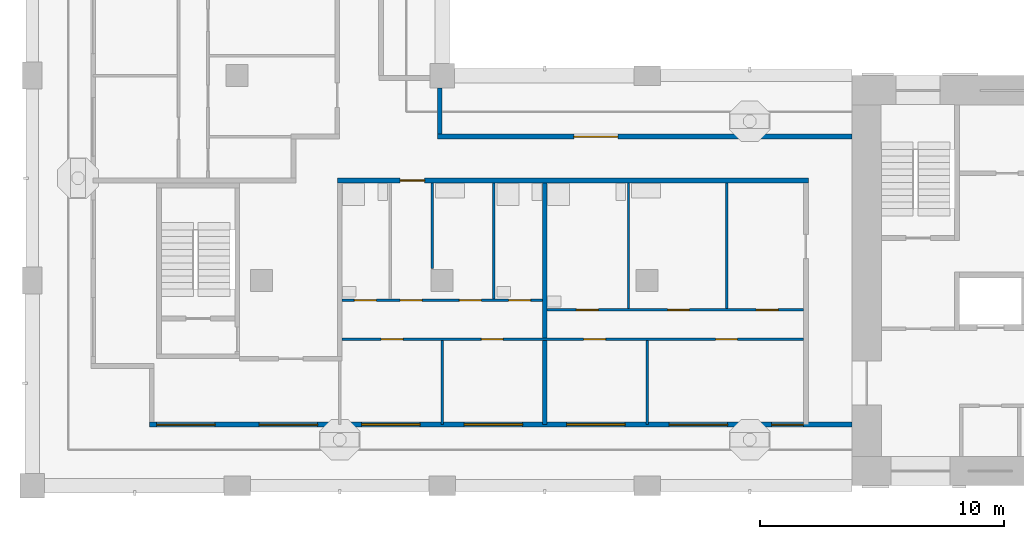
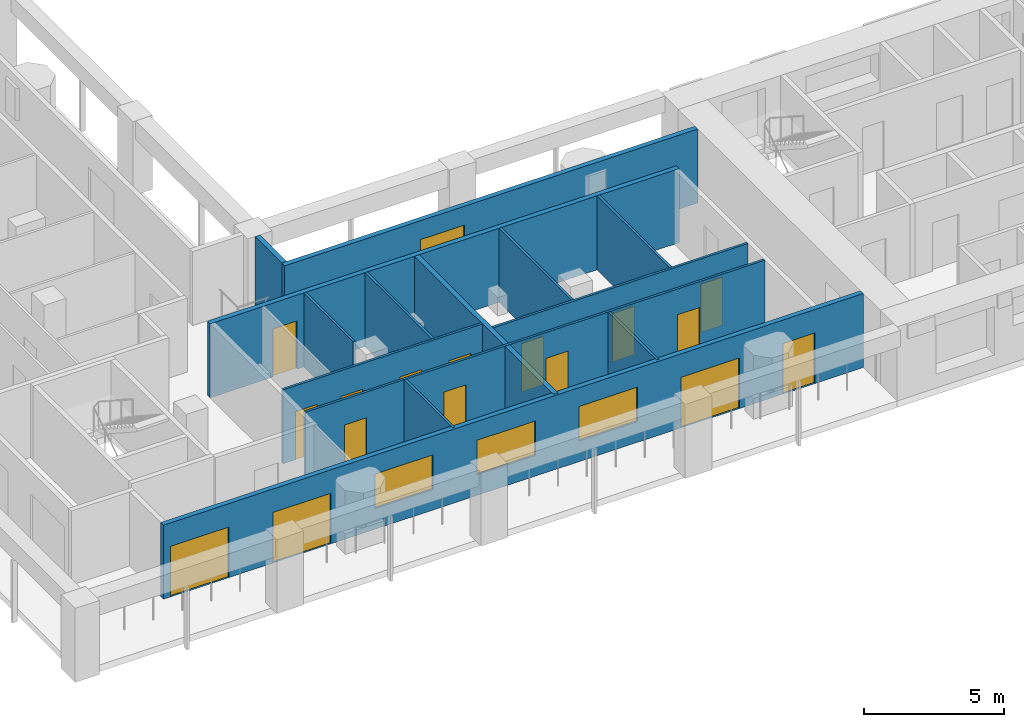
# One storey, part 2 of 12: 17 doors, 14 walls, 3 windows, 20 openings.
"""IFC4 building model written with IfcOpenShell, lengths in metres."""

import ifcopenshell
import ifcopenshell.guid

model = None  # the IFC model being written
_history = None  # IfcOwnerHistory: only IFC2X3 demands one
_inside = {}  # id of a spatial element -> (the spatial element, [elements in it])
_under = {}  # id of a project, library or spatial element -> (it, [spatial elements below it])
_declared = {}  # id of a project -> (the project, [libraries it declares])
_typed = {}  # id of a type object -> (the type object, [elements of that type])
_made_of = {}  # id of a material, layer set ... -> (it, [elements and type objects made of it])


def new_model(schema):
    """Start an empty IFC model of exactly this schema.

    Asked for "IFC4X3", IfcOpenShell would pick the latest addendum, in which some entities
    have other attributes; the version numbers below select the first issue.
    IFC2X3 requires an IfcOwnerHistory on every rooted entity: one is made here for all.
    """
    global model, _history
    if schema == "IFC4X3":
        model = ifcopenshell.file(schema_version=(4, 3, 0, 0))
    else:
        model = ifcopenshell.file(schema=schema)
    _inside.clear()
    _under.clear()
    _declared.clear()
    _typed.clear()
    _made_of.clear()
    _history = None
    if model.schema == "IFC2X3":
        org = make("IfcOrganization", Name="unknown")
        user = make(
            "IfcPersonAndOrganization",
            ThePerson=make("IfcPerson", FamilyName="unknown"),
            TheOrganization=org,
        )
        app = make(
            "IfcApplication",
            ApplicationDeveloper=org,
            Version="unknown",
            ApplicationFullName="unknown",
            ApplicationIdentifier="unknown",
        )
        _history = make(
            "IfcOwnerHistory",
            OwningUser=user,
            OwningApplication=app,
            ChangeAction="ADDED",
            CreationDate=0,
        )
    return model


def make(cls, **values):
    """One entity of the class cls with the attributes given. An attribute that is None is left unset."""
    return model.create_entity(
        cls, **{name: value for name, value in values.items() if value is not None}
    )


def rooted(cls, **values):
    """An entity with a GlobalId (a new one), such as an element, a storey or a relation."""
    return make(cls, GlobalId=ifcopenshell.guid.new(), OwnerHistory=_history, **values)


def si_unit(unit_type, name, prefix=None):
    """IfcSIUnit, for example si_unit("LENGTHUNIT", "METRE", prefix="MILLI")."""
    return make("IfcSIUnit", UnitType=unit_type, Prefix=prefix, Name=name)


def assignment(units):
    """IfcUnitAssignment: the units of a project."""
    return None if units is None else make("IfcUnitAssignment", Units=units)


def point(xyz):
    """IfcCartesianPoint."""
    return None if xyz is None else make("IfcCartesianPoint", Coordinates=xyz)


def direction(xyz):
    """IfcDirection."""
    return None if xyz is None else make("IfcDirection", DirectionRatios=xyz)


def frame(location, z_axis=None, x_axis=None):
    """IfcAxis2Placement3D, a coordinate frame: its origin and axes. An axis left out is left unset."""
    return make(
        "IfcAxis2Placement3D",
        Location=point(location),
        Axis=direction(z_axis),
        RefDirection=direction(x_axis),
    )


def frame_2d(location, x_axis=None):
    """IfcAxis2Placement2D, a coordinate frame in the plane: its origin and x axis."""
    return make(
        "IfcAxis2Placement2D", Location=point(location), RefDirection=direction(x_axis)
    )


def origin():
    """The frame at (0, 0, 0) with its axes left unset."""
    return frame((0.0, 0.0, 0.0))


def place(relative_to, where):
    """IfcLocalPlacement: puts the frame where relative to a parent placement (None: the world)."""
    return make(
        "IfcLocalPlacement", PlacementRelTo=relative_to, RelativePlacement=where
    )


def context(
    kind, dimensions, precision=None, world=None, true_north=None, identifier=None
):
    """IfcGeometricRepresentationContext, for example the 3D "Model" context."""
    return make(
        "IfcGeometricRepresentationContext",
        ContextIdentifier=identifier,
        ContextType=kind,
        CoordinateSpaceDimension=dimensions,
        Precision=precision,
        WorldCoordinateSystem=world,
        TrueNorth=true_north,
    )


def subcontext(parent, identifier, kind, view, scale=None):
    """IfcGeometricRepresentationSubContext, for example "Body" below "Model"."""
    return make(
        "IfcGeometricRepresentationSubContext",
        ContextIdentifier=identifier,
        ContextType=kind,
        ParentContext=parent,
        TargetScale=scale,
        TargetView=view,
    )


def project(units=None, contexts=None):
    """IfcProject with its units and contexts."""
    return rooted(
        "IfcProject",
        Name="project",
        RepresentationContexts=contexts,
        UnitsInContext=assignment(units),
    )


def spatial(cls, under=None, at=None, **own):
    """A site, building, storey or space (cls), placed at a placement, below another one or the project."""
    s = rooted(cls, ObjectPlacement=at, **own)
    if under is not None:
        _under.setdefault(under.id(), (under, []))[1].append(s)
    return s


def profile(cls, at=None, kind="AREA", **sizes):
    """A parametric profile (cls). Its sizes go by their IFC names, for example OverallWidth=200.0."""
    return make(cls, ProfileType=kind, Position=at, **sizes)


def rectangle(**sizes):
    """IfcRectangleProfileDef."""
    return profile("IfcRectangleProfileDef", **sizes)


def extrude(swept, where, along, depth):
    """IfcExtrudedAreaSolid: the profile swept, set in the frame where, extruded along a direction by depth."""
    return make(
        "IfcExtrudedAreaSolid",
        SweptArea=swept,
        Position=where,
        ExtrudedDirection=direction(along),
        Depth=depth,
    )


def shape(context_of_items, identifier, shape_type, items):
    """IfcShapeRepresentation: the items that make up one representation, for example the "Body"."""
    return make(
        "IfcShapeRepresentation",
        ContextOfItems=context_of_items,
        RepresentationIdentifier=identifier,
        RepresentationType=shape_type,
        Items=items,
    )


def material(Name=None, Category=None):
    """IfcMaterial."""
    return make("IfcMaterial", Name=Name, Category=Category)


def layer(
    of_material, thickness, ventilated=None, Name=None, Category=None, Priority=None
):
    """IfcMaterialLayer: one layer of a wall or slab, of a material (None: an air gap)."""
    return make(
        "IfcMaterialLayer",
        Material=of_material,
        LayerThickness=thickness,
        IsVentilated=ventilated,
        Name=Name,
        Category=Category,
        Priority=Priority,
    )


def layer_set(layers, Name=None):
    """IfcMaterialLayerSet."""
    return make("IfcMaterialLayerSet", MaterialLayers=layers, LayerSetName=Name)


def made_of(thing, what):
    """Note that an element or type object is made of a material, layer set ...; save() writes the relation."""
    if what is not None:
        _made_of.setdefault(what.id(), (what, []))[1].append(thing)
    return thing


def type_object(cls, material=None, **own):
    """A type object (cls), such as IfcWallType, which elements share."""
    return made_of(rooted(cls, **own), material)


def element(
    cls,
    number,
    at=None,
    inside=None,
    cuts=None,
    type_object=None,
    material=None,
    context=None,
    identifier="Body",
    shape_type=None,
    held_by="IfcProductDefinitionShape",
    body=None,
    shapes=None,
    **own,
):
    """One element of the class cls, such as IfcWall. Its Tag is "e" and its number.

    at: its placement. inside: the storey or other place that contains it. cuts: it is an
    opening in that element (IfcRelVoidsElement). A single representation is given by context,
    identifier, shape_type and body (its items); several are given by shapes. held_by: the class
    of the entity that holds the representations. save() writes the other relations.
    """
    e = rooted(cls, Tag="e%d" % number, ObjectPlacement=at, **own)
    if body is not None:
        shapes = [shape(context, identifier, shape_type, body)]
    if shapes is not None:
        e.Representation = make(held_by, Representations=shapes)
    if inside is not None:
        _inside.setdefault(inside.id(), (inside, []))[1].append(e)
    if cuts is not None:
        rooted(
            "IfcRelVoidsElement", RelatingBuildingElement=cuts, RelatedOpeningElement=e
        )
    if type_object is not None:
        _typed.setdefault(type_object.id(), (type_object, []))[1].append(e)
    return made_of(e, material)


def fill(opening, filler):
    """IfcRelFillsElement: the door or window that sits in an opening."""
    return rooted(
        "IfcRelFillsElement",
        RelatingOpeningElement=opening,
        RelatedBuildingElement=filler,
    )


def aggregate(whole, parts):
    """IfcRelAggregates: a whole, such as a stair, and the parts it consists of."""
    return rooted("IfcRelAggregates", RelatingObject=whole, RelatedObjects=parts)


def save(model, path):
    """Write the relations noted so far, then the file.

    IfcRelAggregates (storeys below a building ...), IfcRelContainedInSpatialStructure (elements
    in a storey), IfcRelDefinesByType, IfcRelAssociatesMaterial and IfcRelDeclares: one each for
    every whole, place, type object, material and project.
    """
    for whole, parts in _under.values():
        aggregate(whole, parts)
    for where, things in _inside.values():
        rooted(
            "IfcRelContainedInSpatialStructure",
            RelatedElements=things,
            RelatingStructure=where,
        )
    for kind, things in _typed.values():
        rooted("IfcRelDefinesByType", RelatedObjects=things, RelatingType=kind)
    for what, things in _made_of.values():
        rooted("IfcRelAssociatesMaterial", RelatedObjects=things, RelatingMaterial=what)
    for by, libraries in _declared.values():
        rooted("IfcRelDeclares", RelatingContext=by, RelatedDefinitions=libraries)
    model.write(path)


model = new_model("IFC4")

# Units and contexts
model_context = context("Model", 3, precision=1e-05, world=origin(), true_north=direction((0.0, 1.0)))
body_context = subcontext(model_context, "Body", "Model", "MODEL_VIEW")
ifc_project = project(units=[si_unit("LENGTHUNIT", "METRE"), si_unit("AREAUNIT", "SQUARE_METRE"), si_unit("VOLUMEUNIT", "CUBIC_METRE"), si_unit("PLANEANGLEUNIT", "RADIAN"), si_unit("MASSUNIT", "GRAM", prefix="KILO")], contexts=[model_context])

# Site, building, storey
site_placement = place(None, origin())
site = spatial("IfcSite", under=ifc_project, at=site_placement, CompositionType="ELEMENT")
building_placement = place(site_placement, origin())
building = spatial("IfcBuilding", under=site, at=building_placement, Name="Vermilion Gate Residences", CompositionType="ELEMENT")
storey_placement = place(building_placement, frame((0.0, 0.0, 242.199951171875)))
storey = spatial("IfcBuildingStorey", under=building, at=storey_placement, Name="L63", CompositionType="ELEMENT", Elevation=242.199951171875)

# Wall, openings, doors, windows
ifc_material_1 = material(Name="Insulated steel stud wall with terracotta rainscreen", Category="masonry")
ifc_layer_1 = layer(ifc_material_1, 0.199951171875)
ifc_layer_set_1 = layer_set([ifc_layer_1], Name="EXTERNAL WALL 200 TERRACOTTA RAINSCREEN")
wall_type_1 = type_object("IfcWallType", Name="EXTERNAL WALL 200 TERRACOTTA RAINSCREEN", PredefinedType="SOLIDWALL", material=ifc_layer_set_1)
wall_1_placement = place(storey_placement, frame((13.199951171875, 10.89990234375, 0.0), z_axis=(0.0, 0.0, 1.0), x_axis=(1.0, 0.0, 0.0)))
wall_1 = element("IfcWall", 1, at=wall_1_placement, inside=storey, type_object=wall_type_1, Name="External wall", PredefinedType="SOLIDWALL", context=body_context, shape_type="SweptSolid", body=[
    extrude(rectangle(XDim=28.800048828125, YDim=0.199951171875, at=frame_2d((14.39990234375, 0.0))), origin(), (0.0, 0.0, 1.0), 3.219970703125),
])
opening_1_placement = place(wall_1_placement, frame((0.300048828125, 0.0, 0.0)))
opening_1 = element("IfcOpeningElement", 2, at=opening_1_placement, cuts=wall_1, Name="Opening DE63008", PredefinedType="OPENING", context=body_context, shape_type="SweptSolid", body=[
    extrude(rectangle(XDim=2.39990234375, YDim=2.199951171875, at=frame_2d((1.199951171875, 1.10009765625))), frame((0.0, 0.10986328125, 0.0), z_axis=(0.0, -1.0, 0.0), x_axis=(1.0, 0.0, 0.0)), (0.0, 0.0, 1.0), 0.219970703125),
])
opening_2_placement = place(wall_1_placement, frame((4.5, 0.0, 0.0)))
opening_2 = element("IfcOpeningElement", 3, at=opening_2_placement, cuts=wall_1, Name="Opening DE63009", PredefinedType="OPENING", context=body_context, shape_type="SweptSolid", body=[
    extrude(rectangle(XDim=2.39990234375, YDim=2.199951171875, at=frame_2d((1.199951171875, 1.10009765625))), frame((0.0, 0.10986328125, 0.0), z_axis=(0.0, -1.0, 0.0), x_axis=(1.0, 0.0, 0.0)), (0.0, 0.0, 1.0), 0.219970703125),
])
opening_3_placement = place(wall_1_placement, frame((8.699951171875, 0.0, 0.89990234375)))
opening_3 = element("IfcOpeningElement", 4, at=opening_3_placement, cuts=wall_1, Name="Opening WE63010", PredefinedType="OPENING", context=body_context, shape_type="SweptSolid", body=[
    extrude(rectangle(XDim=2.39990234375, YDim=1.5, at=frame_2d((1.199951171875, 0.75))), frame((0.0, 0.10986328125, 0.0), z_axis=(0.0, -1.0, 0.0), x_axis=(1.0, 0.0, 0.0)), (0.0, 0.0, 1.0), 0.219970703125),
])
opening_4_placement = place(wall_1_placement, frame((12.89990234375, 0.0, 0.89990234375)))
opening_4 = element("IfcOpeningElement", 5, at=opening_4_placement, cuts=wall_1, Name="Opening WE63011", PredefinedType="OPENING", context=body_context, shape_type="SweptSolid", body=[
    extrude(rectangle(XDim=2.39990234375, YDim=1.5, at=frame_2d((1.199951171875, 0.75))), frame((0.0, 0.10986328125, 0.0), z_axis=(0.0, -1.0, 0.0), x_axis=(1.0, 0.0, 0.0)), (0.0, 0.0, 1.0), 0.219970703125),
])
opening_5_placement = place(wall_1_placement, frame((17.10009765625, 0.0, 0.89990234375)))
opening_5 = element("IfcOpeningElement", 6, at=opening_5_placement, cuts=wall_1, Name="Opening WE63012", PredefinedType="OPENING", context=body_context, shape_type="SweptSolid", body=[
    extrude(rectangle(XDim=2.39990234375, YDim=1.5, at=frame_2d((1.199951171875, 0.75))), frame((0.0, 0.10986328125, 0.0), z_axis=(0.0, -1.0, 0.0), x_axis=(1.0, 0.0, 0.0)), (0.0, 0.0, 1.0), 0.219970703125),
])
opening_6_placement = place(wall_1_placement, frame((21.300048828125, 0.0, 0.0)))
opening_6 = element("IfcOpeningElement", 7, at=opening_6_placement, cuts=wall_1, Name="Opening DE63013", PredefinedType="OPENING", context=body_context, shape_type="SweptSolid", body=[
    extrude(rectangle(XDim=2.39990234375, YDim=2.199951171875, at=frame_2d((1.199951171875, 1.10009765625))), frame((0.0, 0.10986328125, 0.0), z_axis=(0.0, -1.0, 0.0), x_axis=(1.0, 0.0, 0.0)), (0.0, 0.0, 1.0), 0.219970703125),
])
opening_7_placement = place(wall_1_placement, frame((25.5, 0.0, 0.0)))
opening_7 = element("IfcOpeningElement", 8, at=opening_7_placement, cuts=wall_1, Name="Opening DE63014", PredefinedType="OPENING", context=body_context, shape_type="SweptSolid", body=[
    extrude(rectangle(XDim=1.300048828125, YDim=2.199951171875, at=frame_2d((0.64990234375, 1.10009765625))), frame((0.0, 0.10986328125, 0.0), z_axis=(0.0, -1.0, 0.0), x_axis=(1.0, 0.0, 0.0)), (0.0, 0.0, 1.0), 0.219970703125),
])
ifc_material_2 = material(Name="Aluminium and clear glass", Category="aluminium")
door_type_1 = type_object("IfcDoorType", Name="SLIDING GLAZED DOOR 1300 X 2200", OperationType="DOUBLE_DOOR_SLIDING", PredefinedType="DOOR", material=ifc_material_2)
door_1_placement = place(opening_7_placement, origin())
door_1 = element("IfcDoor", 9, at=door_1_placement, inside=storey, type_object=door_type_1, Name="Loggia sliding door", OperationType="DOUBLE_DOOR_SLIDING", OverallHeight=2.199951171875, OverallWidth=1.300048828125, PredefinedType="DOOR", context=body_context, shape_type="SweptSolid", body=[
    extrude(rectangle(XDim=1.300048828125, YDim=2.199951171875, at=frame_2d((0.64990234375, 1.10009765625))), frame((0.0, 0.02490234375, 0.0), z_axis=(0.0, -1.0, 0.0), x_axis=(1.0, 0.0, 0.0)), (0.0, 0.0, 1.0), 0.050048828125),
])
fill(opening_7, door_1)
ifc_material_3 = material(Name="Aluminium and clear glass", Category="aluminium")
door_type_2 = type_object("IfcDoorType", Name="SLIDING GLAZED DOOR 2400 X 2200", OperationType="DOUBLE_DOOR_SLIDING", PredefinedType="DOOR", material=ifc_material_3)
door_2_placement = place(opening_1_placement, origin())
door_2 = element("IfcDoor", 10, at=door_2_placement, inside=storey, type_object=door_type_2, Name="Loggia sliding door", OperationType="DOUBLE_DOOR_SLIDING", OverallHeight=2.199951171875, OverallWidth=2.39990234375, PredefinedType="DOOR", context=body_context, shape_type="SweptSolid", body=[
    extrude(rectangle(XDim=2.39990234375, YDim=2.199951171875, at=frame_2d((1.199951171875, 1.10009765625))), frame((0.0, 0.02490234375, 0.0), z_axis=(0.0, -1.0, 0.0), x_axis=(1.0, 0.0, 0.0)), (0.0, 0.0, 1.0), 0.050048828125),
])
fill(opening_1, door_2)
door_3_placement = place(opening_2_placement, origin())
door_3 = element("IfcDoor", 11, at=door_3_placement, inside=storey, type_object=door_type_2, Name="Loggia sliding door", OperationType="DOUBLE_DOOR_SLIDING", OverallHeight=2.199951171875, OverallWidth=2.39990234375, PredefinedType="DOOR", context=body_context, shape_type="SweptSolid", body=[
    extrude(rectangle(XDim=2.39990234375, YDim=2.199951171875, at=frame_2d((1.199951171875, 1.10009765625))), frame((0.0, 0.02490234375, 0.0), z_axis=(0.0, -1.0, 0.0), x_axis=(1.0, 0.0, 0.0)), (0.0, 0.0, 1.0), 0.050048828125),
])
fill(opening_2, door_3)
door_4_placement = place(opening_6_placement, origin())
door_4 = element("IfcDoor", 12, at=door_4_placement, inside=storey, type_object=door_type_2, Name="Loggia sliding door", OperationType="DOUBLE_DOOR_SLIDING", OverallHeight=2.199951171875, OverallWidth=2.39990234375, PredefinedType="DOOR", context=body_context, shape_type="SweptSolid", body=[
    extrude(rectangle(XDim=2.39990234375, YDim=2.199951171875, at=frame_2d((1.199951171875, 1.10009765625))), frame((0.0, 0.02490234375, 0.0), z_axis=(0.0, -1.0, 0.0), x_axis=(1.0, 0.0, 0.0)), (0.0, 0.0, 1.0), 0.050048828125),
])
fill(opening_6, door_4)
ifc_material_4 = material(Name="Aluminium and clear glass", Category="aluminium")
window_type = type_object("IfcWindowType", Name="WINDOW 2400 X 1500", PartitioningType="SINGLE_PANEL", PredefinedType="WINDOW", material=ifc_material_4)
window_1_placement = place(opening_3_placement, origin())
window_1 = element("IfcWindow", 13, at=window_1_placement, inside=storey, type_object=window_type, Name="Window", OverallHeight=1.5, OverallWidth=2.39990234375, PartitioningType="SINGLE_PANEL", PredefinedType="WINDOW", context=body_context, shape_type="SweptSolid", body=[
    extrude(rectangle(XDim=2.39990234375, YDim=1.5, at=frame_2d((1.199951171875, 0.75))), frame((0.0, 0.030029296875, 0.0), z_axis=(0.0, -1.0, 0.0), x_axis=(1.0, 0.0, 0.0)), (0.0, 0.0, 1.0), 0.06005859375),
])
fill(opening_3, window_1)
window_2_placement = place(opening_4_placement, origin())
window_2 = element("IfcWindow", 14, at=window_2_placement, inside=storey, type_object=window_type, Name="Window", OverallHeight=1.5, OverallWidth=2.39990234375, PartitioningType="SINGLE_PANEL", PredefinedType="WINDOW", context=body_context, shape_type="SweptSolid", body=[
    extrude(rectangle(XDim=2.39990234375, YDim=1.5, at=frame_2d((1.199951171875, 0.75))), frame((0.0, 0.030029296875, 0.0), z_axis=(0.0, -1.0, 0.0), x_axis=(1.0, 0.0, 0.0)), (0.0, 0.0, 1.0), 0.06005859375),
])
fill(opening_4, window_2)
window_3_placement = place(opening_5_placement, origin())
window_3 = element("IfcWindow", 15, at=window_3_placement, inside=storey, type_object=window_type, Name="Window", OverallHeight=1.5, OverallWidth=2.39990234375, PartitioningType="SINGLE_PANEL", PredefinedType="WINDOW", context=body_context, shape_type="SweptSolid", body=[
    extrude(rectangle(XDim=2.39990234375, YDim=1.5, at=frame_2d((1.199951171875, 0.75))), frame((0.0, 0.030029296875, 0.0), z_axis=(0.0, -1.0, 0.0), x_axis=(1.0, 0.0, 0.0)), (0.0, 0.0, 1.0), 0.06005859375),
])
fill(opening_5, window_3)

# Wall, opening, door
wall_2_placement = place(storey_placement, frame((42.0, 22.699951171875, 0.0), z_axis=(0.0, 0.0, 1.0), x_axis=(-1.0, 0.0, 0.0)))
wall_2 = element("IfcWall", 16, at=wall_2_placement, inside=storey, type_object=wall_type_1, Name="External wall", PredefinedType="SOLIDWALL", context=body_context, shape_type="SweptSolid", body=[
    extrude(rectangle(XDim=17.0, YDim=0.199951171875, at=frame_2d((8.5, 0.0))), origin(), (0.0, 0.0, 1.0), 3.219970703125),
])
opening_8_placement = place(wall_2_placement, frame((9.60009765625, 0.0, 0.0)))
opening_8 = element("IfcOpeningElement", 17, at=opening_8_placement, cuts=wall_2, Name="Opening DE63015", PredefinedType="OPENING", context=body_context, shape_type="SweptSolid", body=[
    extrude(rectangle(XDim=1.800048828125, YDim=2.39990234375, at=frame_2d((0.89990234375, 1.199951171875))), frame((0.0, 0.10986328125, 0.0), z_axis=(0.0, -1.0, 0.0), x_axis=(1.0, 0.0, 0.0)), (0.0, 0.0, 1.0), 0.219970703125),
])
ifc_material_5 = material(Name="Aluminium and clear glass", Category="aluminium")
door_type_3 = type_object("IfcDoorType", Name="GLAZED EXTERNAL DOOR 1800 X 2400", OperationType="DOUBLE_DOOR_SINGLE_SWING", PredefinedType="DOOR", material=ifc_material_5)
door_5_placement = place(opening_8_placement, frame((1.800048828125, 0.0, 0.0), z_axis=(0.0, 0.0, 1.0), x_axis=(-1.0, 0.0, 0.0)))
door_5 = element("IfcDoor", 18, at=door_5_placement, inside=storey, type_object=door_type_3, Name="Gallery door", OperationType="DOUBLE_DOOR_SINGLE_SWING", OverallHeight=2.39990234375, OverallWidth=1.800048828125, PredefinedType="DOOR", context=body_context, shape_type="SweptSolid", body=[
    extrude(rectangle(XDim=1.800048828125, YDim=2.39990234375, at=frame_2d((0.89990234375, 1.199951171875))), frame((0.0, 0.02490234375, 0.0), z_axis=(0.0, -1.0, 0.0), x_axis=(1.0, 0.0, 0.0)), (0.0, 0.0, 1.0), 0.050048828125),
])
fill(opening_8, door_5)

# Wall
wall_3_placement = place(storey_placement, frame((25.10009765625, 22.800048828125, 0.0), z_axis=(0.0, 0.0, 1.0), x_axis=(0.0, 1.0, 0.0)))
element("IfcWall", 19, at=wall_3_placement, inside=storey, type_object=wall_type_1, Name="External wall", PredefinedType="SOLIDWALL", context=body_context, shape_type="SweptSolid", body=[
    extrude(rectangle(XDim=1.89990234375, YDim=0.199951171875, at=frame_2d((0.949951171875, 0.0))), origin(), (0.0, 0.0, 1.0), 3.219970703125),
])

# Wall, openings, doors
ifc_material_6 = material(Name="Plasterboard on steel studs", Category="steel")
ifc_layer_2 = layer(ifc_material_6, 0.10009765625)
ifc_layer_set_2 = layer_set([ifc_layer_2], Name="PARTITION 100")
wall_type_2 = type_object("IfcWallType", Name="PARTITION 100", PredefinedType="PARTITIONING", material=ifc_layer_set_2)
wall_4_placement = place(storey_placement, frame((21.10009765625, 14.39990234375, 0.0), z_axis=(0.0, 0.0, 1.0), x_axis=(1.0, 0.0, 0.0)))
wall_4 = element("IfcWall", 20, at=wall_4_placement, inside=storey, type_object=wall_type_2, Name="Partition", PredefinedType="PARTITIONING", context=body_context, shape_type="SweptSolid", body=[
    extrude(rectangle(XDim=18.89990234375, YDim=0.10009765625, at=frame_2d((9.449951171875, 0.0))), origin(), (0.0, 0.0, 1.0), 3.219970703125),
])
opening_9_placement = place(wall_4_placement, frame((1.60009765625, 0.0, 0.0)))
opening_9 = element("IfcOpeningElement", 21, at=opening_9_placement, cuts=wall_4, Name="Opening DA61002", PredefinedType="OPENING", context=body_context, shape_type="SweptSolid", body=[
    extrude(rectangle(XDim=0.89990234375, YDim=2.10009765625, at=frame_2d((0.449951171875, 1.050048828125))), frame((0.0, 0.06005859375, 0.0), z_axis=(0.0, -1.0, 0.0), x_axis=(1.0, 0.0, 0.0)), (0.0, 0.0, 1.0), 0.1201171875),
])
opening_10_placement = place(wall_4_placement, frame((5.699951171875, 0.0, 0.0)))
opening_10 = element("IfcOpeningElement", 22, at=opening_10_placement, cuts=wall_4, Name="Opening DA61003", PredefinedType="OPENING", context=body_context, shape_type="SweptSolid", body=[
    extrude(rectangle(XDim=0.89990234375, YDim=2.10009765625, at=frame_2d((0.449951171875, 1.050048828125))), frame((0.0, 0.06005859375, 0.0), z_axis=(0.0, -1.0, 0.0), x_axis=(1.0, 0.0, 0.0)), (0.0, 0.0, 1.0), 0.1201171875),
])
opening_11_placement = place(wall_4_placement, frame((9.89990234375, 0.0, 0.0)))
opening_11 = element("IfcOpeningElement", 23, at=opening_11_placement, cuts=wall_4, Name="Opening DA61004", PredefinedType="OPENING", context=body_context, shape_type="SweptSolid", body=[
    extrude(rectangle(XDim=0.89990234375, YDim=2.10009765625, at=frame_2d((0.449951171875, 1.050048828125))), frame((0.0, 0.06005859375, 0.0), z_axis=(0.0, -1.0, 0.0), x_axis=(1.0, 0.0, 0.0)), (0.0, 0.0, 1.0), 0.1201171875),
])
opening_12_placement = place(wall_4_placement, frame((15.300048828125, 0.0, 0.0)))
opening_12 = element("IfcOpeningElement", 24, at=opening_12_placement, cuts=wall_4, Name="Opening DA61005", PredefinedType="OPENING", context=body_context, shape_type="SweptSolid", body=[
    extrude(rectangle(XDim=0.89990234375, YDim=2.10009765625, at=frame_2d((0.449951171875, 1.050048828125))), frame((0.0, 0.06005859375, 0.0), z_axis=(0.0, -1.0, 0.0), x_axis=(1.0, 0.0, 0.0)), (0.0, 0.0, 1.0), 0.1201171875),
])
ifc_material_7 = material(Name="Timber", Category="wood")
door_type_4 = type_object("IfcDoorType", Name="INTERIOR DOOR 900 X 2100", OperationType="SINGLE_SWING_LEFT", PredefinedType="DOOR", material=ifc_material_7)
door_6_placement = place(opening_9_placement, frame((0.89990234375, 0.0, 0.0), z_axis=(0.0, 0.0, 1.0), x_axis=(-1.0, 0.0, 0.0)))
door_6 = element("IfcDoor", 25, at=door_6_placement, inside=storey, type_object=door_type_4, Name="Interior door", OperationType="SINGLE_SWING_LEFT", OverallHeight=2.10009765625, OverallWidth=0.89990234375, PredefinedType="DOOR", context=body_context, shape_type="SweptSolid", body=[
    extrude(rectangle(XDim=0.89990234375, YDim=2.10009765625, at=frame_2d((0.449951171875, 1.050048828125))), frame((0.0, 0.02490234375, 0.0), z_axis=(0.0, -1.0, 0.0), x_axis=(1.0, 0.0, 0.0)), (0.0, 0.0, 1.0), 0.050048828125),
])
fill(opening_9, door_6)
door_7_placement = place(opening_10_placement, frame((0.89990234375, 0.0, 0.0), z_axis=(0.0, 0.0, 1.0), x_axis=(-1.0, 0.0, 0.0)))
door_7 = element("IfcDoor", 26, at=door_7_placement, inside=storey, type_object=door_type_4, Name="Interior door", OperationType="SINGLE_SWING_RIGHT", OverallHeight=2.10009765625, OverallWidth=0.89990234375, PredefinedType="DOOR", context=body_context, shape_type="SweptSolid", body=[
    extrude(rectangle(XDim=0.89990234375, YDim=2.10009765625, at=frame_2d((0.449951171875, 1.050048828125))), frame((0.0, 0.02490234375, 0.0), z_axis=(0.0, -1.0, 0.0), x_axis=(1.0, 0.0, 0.0)), (0.0, 0.0, 1.0), 0.050048828125),
])
fill(opening_10, door_7)
door_8_placement = place(opening_11_placement, frame((0.89990234375, 0.0, 0.0), z_axis=(0.0, 0.0, 1.0), x_axis=(-1.0, 0.0, 0.0)))
door_8 = element("IfcDoor", 27, at=door_8_placement, inside=storey, type_object=door_type_4, Name="Interior door", OperationType="SINGLE_SWING_RIGHT", OverallHeight=2.10009765625, OverallWidth=0.89990234375, PredefinedType="DOOR", context=body_context, shape_type="SweptSolid", body=[
    extrude(rectangle(XDim=0.89990234375, YDim=2.10009765625, at=frame_2d((0.449951171875, 1.050048828125))), frame((0.0, 0.02490234375, 0.0), z_axis=(0.0, -1.0, 0.0), x_axis=(1.0, 0.0, 0.0)), (0.0, 0.0, 1.0), 0.050048828125),
])
fill(opening_11, door_8)
door_9_placement = place(opening_12_placement, frame((0.89990234375, 0.0, 0.0), z_axis=(0.0, 0.0, 1.0), x_axis=(-1.0, 0.0, 0.0)))
door_9 = element("IfcDoor", 28, at=door_9_placement, inside=storey, type_object=door_type_4, Name="Interior door", OperationType="SINGLE_SWING_LEFT", OverallHeight=2.10009765625, OverallWidth=0.89990234375, PredefinedType="DOOR", context=body_context, shape_type="SweptSolid", body=[
    extrude(rectangle(XDim=0.89990234375, YDim=2.10009765625, at=frame_2d((0.449951171875, 1.050048828125))), frame((0.0, 0.02490234375, 0.0), z_axis=(0.0, -1.0, 0.0), x_axis=(1.0, 0.0, 0.0)), (0.0, 0.0, 1.0), 0.050048828125),
])
fill(opening_12, door_9)

wall_5_placement = place(storey_placement, frame((29.5, 15.60009765625, 0.0), z_axis=(0.0, 0.0, 1.0), x_axis=(1.0, 0.0, 0.0)))
wall_5 = element("IfcWall", 29, at=wall_5_placement, inside=storey, type_object=wall_type_2, Name="Partition", PredefinedType="PARTITIONING", context=body_context, shape_type="SweptSolid", body=[
    extrude(rectangle(XDim=10.5, YDim=0.10009765625, at=frame_2d((5.25, 0.0))), origin(), (0.0, 0.0, 1.0), 3.219970703125),
])
opening_13_placement = place(wall_5_placement, frame((8.56689453125, 0.0, 0.0)))
opening_13 = element("IfcOpeningElement", 30, at=opening_13_placement, cuts=wall_5, Name="Opening DA61006", PredefinedType="OPENING", context=body_context, shape_type="SweptSolid", body=[
    extrude(rectangle(XDim=0.89990234375, YDim=2.10009765625, at=frame_2d((0.449951171875, 1.050048828125))), frame((0.0, 0.06005859375, 0.0), z_axis=(0.0, -1.0, 0.0), x_axis=(1.0, 0.0, 0.0)), (0.0, 0.0, 1.0), 0.1201171875),
])
opening_14_placement = place(wall_5_placement, frame((1.199951171875, 0.0, 0.0)))
opening_14 = element("IfcOpeningElement", 31, at=opening_14_placement, cuts=wall_5, Name="Opening DA61007", PredefinedType="OPENING", context=body_context, shape_type="SweptSolid", body=[
    extrude(rectangle(XDim=0.89990234375, YDim=2.10009765625, at=frame_2d((0.449951171875, 1.050048828125))), frame((0.0, 0.06005859375, 0.0), z_axis=(0.0, -1.0, 0.0), x_axis=(1.0, 0.0, 0.0)), (0.0, 0.0, 1.0), 0.1201171875),
])
opening_15_placement = place(wall_5_placement, frame((4.93310546875, 0.0, 0.0)))
opening_15 = element("IfcOpeningElement", 32, at=opening_15_placement, cuts=wall_5, Name="Opening DA61008", PredefinedType="OPENING", context=body_context, shape_type="SweptSolid", body=[
    extrude(rectangle(XDim=0.89990234375, YDim=2.10009765625, at=frame_2d((0.449951171875, 1.050048828125))), frame((0.0, 0.06005859375, 0.0), z_axis=(0.0, -1.0, 0.0), x_axis=(1.0, 0.0, 0.0)), (0.0, 0.0, 1.0), 0.1201171875),
])
door_10_placement = place(opening_13_placement, frame((0.89990234375, 0.0, 0.0), z_axis=(0.0, 0.0, 1.0), x_axis=(-1.0, 0.0, 0.0)))
door_10 = element("IfcDoor", 33, at=door_10_placement, inside=storey, type_object=door_type_4, Name="Interior door", OperationType="SINGLE_SWING_LEFT", OverallHeight=2.10009765625, OverallWidth=0.89990234375, PredefinedType="DOOR", context=body_context, shape_type="SweptSolid", body=[
    extrude(rectangle(XDim=0.89990234375, YDim=2.10009765625, at=frame_2d((0.449951171875, 1.050048828125))), frame((0.0, 0.02490234375, 0.0), z_axis=(0.0, -1.0, 0.0), x_axis=(1.0, 0.0, 0.0)), (0.0, 0.0, 1.0), 0.050048828125),
])
fill(opening_13, door_10)
door_11_placement = place(opening_14_placement, origin())
door_11 = element("IfcDoor", 34, at=door_11_placement, inside=storey, type_object=door_type_4, Name="Interior door", OperationType="SINGLE_SWING_LEFT", OverallHeight=2.10009765625, OverallWidth=0.89990234375, PredefinedType="DOOR", context=body_context, shape_type="SweptSolid", body=[
    extrude(rectangle(XDim=0.89990234375, YDim=2.10009765625, at=frame_2d((0.449951171875, 1.050048828125))), frame((0.0, 0.02490234375, 0.0), z_axis=(0.0, -1.0, 0.0), x_axis=(1.0, 0.0, 0.0)), (0.0, 0.0, 1.0), 0.050048828125),
])
fill(opening_14, door_11)
door_12_placement = place(opening_15_placement, origin())
door_12 = element("IfcDoor", 35, at=door_12_placement, inside=storey, type_object=door_type_4, Name="Interior door", OperationType="SINGLE_SWING_RIGHT", OverallHeight=2.10009765625, OverallWidth=0.89990234375, PredefinedType="DOOR", context=body_context, shape_type="SweptSolid", body=[
    extrude(rectangle(XDim=0.89990234375, YDim=2.10009765625, at=frame_2d((0.449951171875, 1.050048828125))), frame((0.0, 0.02490234375, 0.0), z_axis=(0.0, -1.0, 0.0), x_axis=(1.0, 0.0, 0.0)), (0.0, 0.0, 1.0), 0.050048828125),
])
fill(opening_15, door_12)

wall_6_placement = place(storey_placement, frame((21.10009765625, 16.0, 0.0), z_axis=(0.0, 0.0, 1.0), x_axis=(1.0, 0.0, 0.0)))
wall_6 = element("IfcWall", 36, at=wall_6_placement, inside=storey, type_object=wall_type_2, Name="Partition", PredefinedType="PARTITIONING", context=body_context, shape_type="SweptSolid", body=[
    extrude(rectangle(XDim=8.199951171875, YDim=0.10009765625, at=frame_2d((4.10009765625, 0.0))), origin(), (0.0, 0.0, 1.0), 3.219970703125),
])
opening_16_placement = place(wall_6_placement, frame((2.3798828125, 0.0, 0.0)))
opening_16 = element("IfcOpeningElement", 37, at=opening_16_placement, cuts=wall_6, Name="Opening DA61009", PredefinedType="OPENING", context=body_context, shape_type="SweptSolid", body=[
    extrude(rectangle(XDim=0.89990234375, YDim=2.10009765625, at=frame_2d((0.449951171875, 1.050048828125))), frame((0.0, 0.06005859375, 0.0), z_axis=(0.0, -1.0, 0.0), x_axis=(1.0, 0.0, 0.0)), (0.0, 0.0, 1.0), 0.1201171875),
])
opening_17_placement = place(wall_6_placement, frame((0.5, 0.0, 0.0)))
opening_17 = element("IfcOpeningElement", 38, at=opening_17_placement, cuts=wall_6, Name="Opening DA61010", PredefinedType="OPENING", context=body_context, shape_type="SweptSolid", body=[
    extrude(rectangle(XDim=0.89990234375, YDim=2.10009765625, at=frame_2d((0.449951171875, 1.050048828125))), frame((0.0, 0.06005859375, 0.0), z_axis=(0.0, -1.0, 0.0), x_axis=(1.0, 0.0, 0.0)), (0.0, 0.0, 1.0), 0.1201171875),
])
opening_18_placement = place(wall_6_placement, frame((4.800048828125, 0.0, 0.0)))
opening_18 = element("IfcOpeningElement", 39, at=opening_18_placement, cuts=wall_6, Name="Opening DA61011", PredefinedType="OPENING", context=body_context, shape_type="SweptSolid", body=[
    extrude(rectangle(XDim=0.89990234375, YDim=2.10009765625, at=frame_2d((0.449951171875, 1.050048828125))), frame((0.0, 0.06005859375, 0.0), z_axis=(0.0, -1.0, 0.0), x_axis=(1.0, 0.0, 0.0)), (0.0, 0.0, 1.0), 0.1201171875),
])
opening_19_placement = place(wall_6_placement, frame((6.820068359375, 0.0, 0.0)))
opening_19 = element("IfcOpeningElement", 40, at=opening_19_placement, cuts=wall_6, Name="Opening DA61012", PredefinedType="OPENING", context=body_context, shape_type="SweptSolid", body=[
    extrude(rectangle(XDim=0.89990234375, YDim=2.10009765625, at=frame_2d((0.449951171875, 1.050048828125))), frame((0.0, 0.06005859375, 0.0), z_axis=(0.0, -1.0, 0.0), x_axis=(1.0, 0.0, 0.0)), (0.0, 0.0, 1.0), 0.1201171875),
])
door_13_placement = place(opening_16_placement, origin())
door_13 = element("IfcDoor", 41, at=door_13_placement, inside=storey, type_object=door_type_4, Name="Interior door", OperationType="SINGLE_SWING_LEFT", OverallHeight=2.10009765625, OverallWidth=0.89990234375, PredefinedType="DOOR", context=body_context, shape_type="SweptSolid", body=[
    extrude(rectangle(XDim=0.89990234375, YDim=2.10009765625, at=frame_2d((0.449951171875, 1.050048828125))), frame((0.0, 0.02490234375, 0.0), z_axis=(0.0, -1.0, 0.0), x_axis=(1.0, 0.0, 0.0)), (0.0, 0.0, 1.0), 0.050048828125),
])
fill(opening_16, door_13)
door_14_placement = place(opening_17_placement, origin())
door_14 = element("IfcDoor", 42, at=door_14_placement, inside=storey, type_object=door_type_4, Name="Interior door", OperationType="SINGLE_SWING_RIGHT", OverallHeight=2.10009765625, OverallWidth=0.89990234375, PredefinedType="DOOR", context=body_context, shape_type="SweptSolid", body=[
    extrude(rectangle(XDim=0.89990234375, YDim=2.10009765625, at=frame_2d((0.449951171875, 1.050048828125))), frame((0.0, 0.02490234375, 0.0), z_axis=(0.0, -1.0, 0.0), x_axis=(1.0, 0.0, 0.0)), (0.0, 0.0, 1.0), 0.050048828125),
])
fill(opening_17, door_14)
door_15_placement = place(opening_18_placement, origin())
door_15 = element("IfcDoor", 43, at=door_15_placement, inside=storey, type_object=door_type_4, Name="Interior door", OperationType="SINGLE_SWING_RIGHT", OverallHeight=2.10009765625, OverallWidth=0.89990234375, PredefinedType="DOOR", context=body_context, shape_type="SweptSolid", body=[
    extrude(rectangle(XDim=0.89990234375, YDim=2.10009765625, at=frame_2d((0.449951171875, 1.050048828125))), frame((0.0, 0.02490234375, 0.0), z_axis=(0.0, -1.0, 0.0), x_axis=(1.0, 0.0, 0.0)), (0.0, 0.0, 1.0), 0.050048828125),
])
fill(opening_18, door_15)
door_16_placement = place(opening_19_placement, origin())
door_16 = element("IfcDoor", 44, at=door_16_placement, inside=storey, type_object=door_type_4, Name="Interior door", OperationType="SINGLE_SWING_RIGHT", OverallHeight=2.10009765625, OverallWidth=0.89990234375, PredefinedType="DOOR", context=body_context, shape_type="SweptSolid", body=[
    extrude(rectangle(XDim=0.89990234375, YDim=2.10009765625, at=frame_2d((0.449951171875, 1.050048828125))), frame((0.0, 0.02490234375, 0.0), z_axis=(0.0, -1.0, 0.0), x_axis=(1.0, 0.0, 0.0)), (0.0, 0.0, 1.0), 0.050048828125),
])
fill(opening_19, door_16)

# Walls
wall_7_placement = place(storey_placement, frame((24.800048828125, 17.300048828125, 0.0), z_axis=(0.0, 0.0, 1.0), x_axis=(0.0, 1.0, 0.0)))
element("IfcWall", 45, at=wall_7_placement, inside=storey, type_object=wall_type_2, Name="Partition", PredefinedType="PARTITIONING", context=body_context, shape_type="SweptSolid", body=[
    extrude(rectangle(XDim=3.5, YDim=0.10009765625, at=frame_2d((1.75, 0.0))), origin(), (0.0, 0.0, 1.0), 3.219970703125),
])
wall_8_placement = place(storey_placement, frame((25.199951171875, 10.89990234375, 0.0), z_axis=(0.0, 0.0, 1.0), x_axis=(0.0, 1.0, 0.0)))
element("IfcWall", 46, at=wall_8_placement, inside=storey, type_object=wall_type_2, Name="Partition", PredefinedType="PARTITIONING", context=body_context, shape_type="SweptSolid", body=[
    extrude(rectangle(XDim=3.4501953125, YDim=0.10009765625, at=frame_2d((1.72509765625, 0.0))), origin(), (0.0, 0.0, 1.0), 3.219970703125),
])
wall_9_placement = place(storey_placement, frame((27.320068359375, 16.050048828125, 0.0), z_axis=(0.0, 0.0, 1.0), x_axis=(0.0, 1.0, 0.0)))
element("IfcWall", 47, at=wall_9_placement, inside=storey, type_object=wall_type_2, Name="Partition", PredefinedType="PARTITIONING", context=body_context, shape_type="SweptSolid", body=[
    extrude(rectangle(XDim=4.75, YDim=0.10009765625, at=frame_2d((2.375, 0.0))), origin(), (0.0, 0.0, 1.0), 3.219970703125),
])
wall_10_placement = place(storey_placement, frame((32.8330078125, 15.64990234375, 0.0), z_axis=(0.0, 0.0, 1.0), x_axis=(0.0, 1.0, 0.0)))
element("IfcWall", 48, at=wall_10_placement, inside=storey, type_object=wall_type_2, Name="Partition", PredefinedType="PARTITIONING", context=body_context, shape_type="SweptSolid", body=[
    extrude(rectangle(XDim=5.150146484375, YDim=0.10009765625, at=frame_2d((2.5751953125, 0.0))), origin(), (0.0, 0.0, 1.0), 3.219970703125),
])
wall_11_placement = place(storey_placement, frame((33.60009765625, 10.89990234375, 0.0), z_axis=(0.0, 0.0, 1.0), x_axis=(0.0, 1.0, 0.0)))
element("IfcWall", 49, at=wall_11_placement, inside=storey, type_object=wall_type_2, Name="Partition", PredefinedType="PARTITIONING", context=body_context, shape_type="SweptSolid", body=[
    extrude(rectangle(XDim=3.4501953125, YDim=0.10009765625, at=frame_2d((1.72509765625, 0.0))), origin(), (0.0, 0.0, 1.0), 3.219970703125),
])
wall_12_placement = place(storey_placement, frame((36.866943359375, 15.64990234375, 0.0), z_axis=(0.0, 0.0, 1.0), x_axis=(0.0, 1.0, 0.0)))
element("IfcWall", 50, at=wall_12_placement, inside=storey, type_object=wall_type_2, Name="Partition", PredefinedType="PARTITIONING", context=body_context, shape_type="SweptSolid", body=[
    extrude(rectangle(XDim=5.150146484375, YDim=0.10009765625, at=frame_2d((2.5751953125, 0.0))), origin(), (0.0, 0.0, 1.0), 3.219970703125),
])

# Wall, opening, door
ifc_material_8 = material(Name="Fire-rated plasterboard on steel studs", Category="steel")
ifc_layer_3 = layer(ifc_material_8, 0.199951171875)
ifc_layer_set_3 = layer_set([ifc_layer_3], Name="PARTY WALL 200 EI 120")
wall_type_3 = type_object("IfcWallType", Name="PARTY WALL 200 EI 120", PredefinedType="PARTITIONING", material=ifc_layer_set_3)
wall_13_placement = place(storey_placement, frame((20.89990234375, 20.89990234375, 0.0), z_axis=(0.0, 0.0, 1.0), x_axis=(1.0, 0.0, 0.0)))
wall_13 = element("IfcWall", 51, at=wall_13_placement, inside=storey, type_object=wall_type_3, Name="Party and corridor wall", PredefinedType="PARTITIONING", context=body_context, shape_type="SweptSolid", body=[
    extrude(rectangle(XDim=19.300048828125, YDim=0.199951171875, at=frame_2d((9.64990234375, 0.0))), origin(), (0.0, 0.0, 1.0), 3.219970703125),
])
opening_20_placement = place(wall_13_placement, frame((2.580078125, 0.0, 0.0)))
opening_20 = element("IfcOpeningElement", 52, at=opening_20_placement, cuts=wall_13, Name="Opening DA61013", PredefinedType="OPENING", context=body_context, shape_type="SweptSolid", body=[
    extrude(rectangle(XDim=1.0, YDim=2.10009765625, at=frame_2d((0.5, 1.050048828125))), frame((0.0, 0.10986328125, 0.0), z_axis=(0.0, -1.0, 0.0), x_axis=(1.0, 0.0, 0.0)), (0.0, 0.0, 1.0), 0.219970703125),
])
ifc_material_9 = material(Name="Steel", Category="steel")
door_type_5 = type_object("IfcDoorType", Name="ENTRANCE DOOR 1000 X 2100 FD30", OperationType="SINGLE_SWING_LEFT", PredefinedType="DOOR", material=ifc_material_9)
door_17_placement = place(opening_20_placement, frame((1.0, 0.0, 0.0), z_axis=(0.0, 0.0, 1.0), x_axis=(-1.0, 0.0, 0.0)))
door_17 = element("IfcDoor", 53, at=door_17_placement, inside=storey, type_object=door_type_5, Name="Entrance door", OperationType="SINGLE_SWING_LEFT", OverallHeight=2.10009765625, OverallWidth=1.0, PredefinedType="DOOR", context=body_context, shape_type="SweptSolid", body=[
    extrude(rectangle(XDim=1.0, YDim=2.10009765625, at=frame_2d((0.5, 1.050048828125))), frame((0.0, 0.02490234375, 0.0), z_axis=(0.0, -1.0, 0.0), x_axis=(1.0, 0.0, 0.0)), (0.0, 0.0, 1.0), 0.050048828125),
])
fill(opening_20, door_17)

# Wall
wall_14_placement = place(storey_placement, frame((29.39990234375, 10.89990234375, 0.0), z_axis=(0.0, 0.0, 1.0), x_axis=(0.0, 1.0, 0.0)))
element("IfcWall", 54, at=wall_14_placement, inside=storey, type_object=wall_type_3, Name="Party and corridor wall", PredefinedType="PARTITIONING", context=body_context, shape_type="SweptSolid", body=[
    extrude(rectangle(XDim=9.900146484375, YDim=0.199951171875, at=frame_2d((4.9501953125, 0.0))), origin(), (0.0, 0.0, 1.0), 3.219970703125),
])

save(model, "model.ifc")
